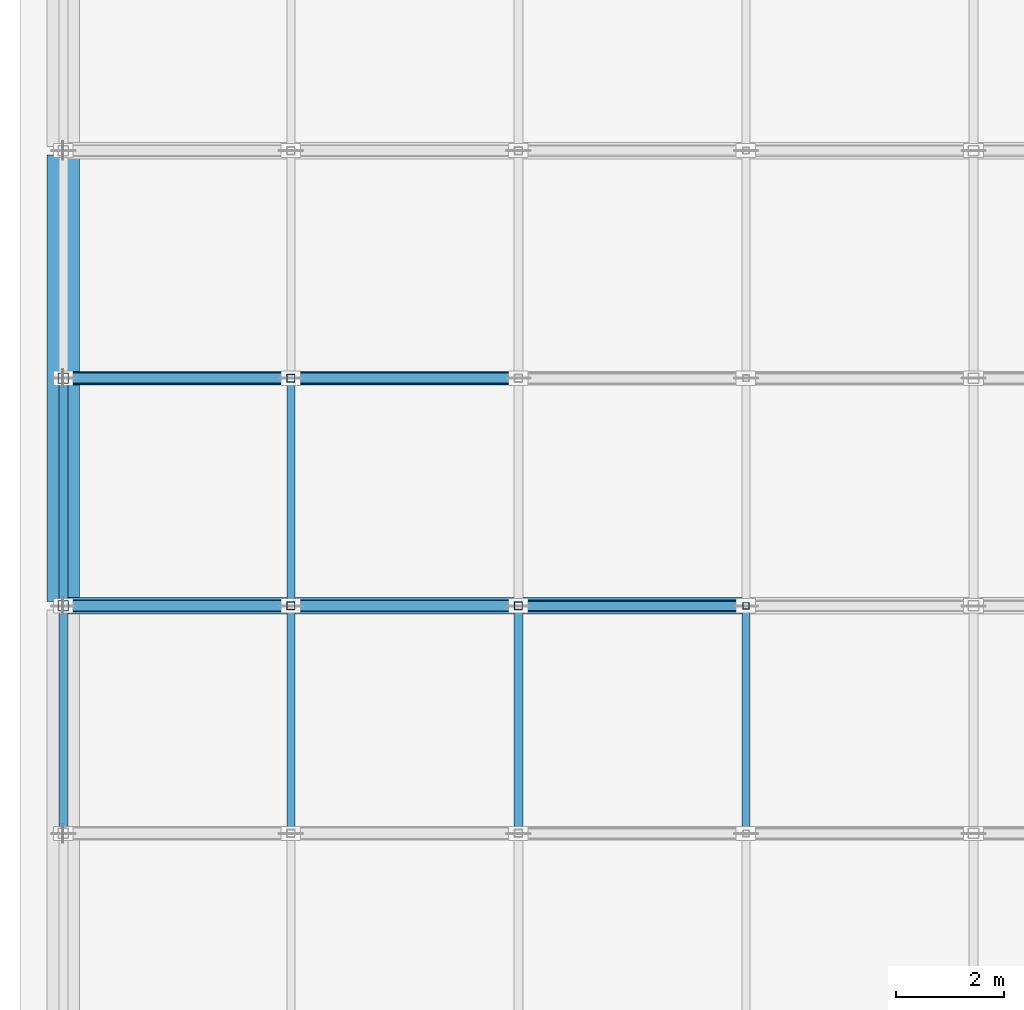
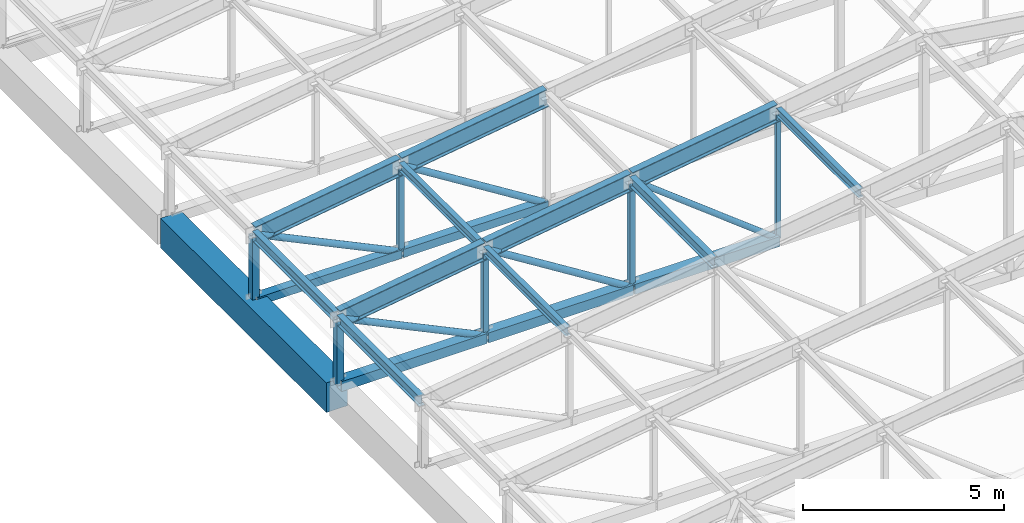
# One storey, part 30 of 122: 27 members, 1 beam.
"""IFC4 building model written with IfcOpenShell, lengths in metres."""

from ifc_helpers import new_model, si_unit, direction, frame, origin, origin_2d, place, context, subcontext, project, spatial, rectangle, hollow_rectangle, hollow_circle, i_section, extrude, material, material_profile, profile_set, type_object, element, save


model = new_model("IFC4")

# Units and contexts
model_context = context("Model", 3, precision=1e-05, world=origin(), true_north=direction((0.0, 1.0)))
body_context = subcontext(model_context, "Body", "Model", "MODEL_VIEW")
ifc_project = project(units=[si_unit("LENGTHUNIT", "METRE"), si_unit("AREAUNIT", "SQUARE_METRE"), si_unit("VOLUMEUNIT", "CUBIC_METRE"), si_unit("PLANEANGLEUNIT", "RADIAN"), si_unit("MASSUNIT", "GRAM", prefix="KILO")], contexts=[model_context])

# Site, building, storey
site_placement = place(None, origin())
site = spatial("IfcSite", under=ifc_project, at=site_placement, CompositionType="ELEMENT")
building_placement = place(site_placement, origin())
building = spatial("IfcBuilding", under=site, at=building_placement, Name="Telukmera Botanical Conservatory", CompositionType="ELEMENT")
storey_placement = place(building_placement, frame((0.0, 0.0, 10.199951171875)))
storey = spatial("IfcBuildingStorey", under=building, at=storey_placement, Name="L02", CompositionType="ELEMENT", Elevation=10.199951171875)

# Beam
ifc_material_1 = material(Name="Concrete C40/50", Category="concrete")
ifc_material_profile_1 = material_profile(ifc_material_1, rectangle(XDim=0.60009765625, YDim=0.89990234375, at=origin_2d()), Name="RC 600x900")
ifc_profile_set_1 = profile_set([ifc_material_profile_1], Name="Concrete C40/50")
beam_type = type_object("IfcBeamType", Name="Beam_B3", PredefinedType="BEAM", material=ifc_profile_set_1)
beam_placement = place(storey_placement, frame((8.39990234375, 100.080078125, -0.449951171875), z_axis=(0.0, 1.0, 0.0), x_axis=(-1.0, 0.0, 0.0)))
element("IfcBeam", 1, at=beam_placement, inside=storey, type_object=beam_type, Name="Auditorium Frame Beam beam:V2:L02:eave:84:1000", PredefinedType="BEAM", context=body_context, shape_type="SweptSolid", body=[
    extrude(rectangle(XDim=0.60009765625, YDim=0.89990234375, at=origin_2d()), origin(), (0.0, 0.0, 1.0), 8.239990234375),
])

# Members
ifc_material_2 = material(Name="Steel S355", Category="steel")
ifc_material_profile_2 = material_profile(ifc_material_2, i_section(OverallWidth=0.210693359375, OverallDepth=0.53955078125, WebThickness=0.01171875, FlangeThickness=0.018798828125, FilletRadius=0.0126953125, at=origin_2d()), Name="UB 533x210x109")
ifc_profile_set_2 = profile_set([ifc_material_profile_2], Name="Steel S355")
member_type_1 = type_object("IfcMemberType", Name="Mem_TC1", PredefinedType="CHORD", material=ifc_profile_set_2)
member_1_placement = place(storey_placement, frame((8.419921875, 100.0, 1.923095703125), z_axis=(0.989021335912, 0.0, 0.147772788805), x_axis=(0.0, 1.0, 0.0)))
element("IfcMember", 2, at=member_1_placement, inside=storey, type_object=member_type_1, Name="Auditorium Pratt Truss Top Chord T5-1", PredefinedType="CHORD", context=body_context, shape_type="SweptSolid", body=[
    extrude(i_section(OverallWidth=0.210693359375, OverallDepth=0.53955078125, WebThickness=0.01171875, FlangeThickness=0.018798828125, FilletRadius=0.0126953125, at=origin_2d()), origin(), (0.0, 0.0, 1.0), 4.206298828125),
])
for number, where, z_axis, x_axis, name in (
    (3, (12.619873046875, 100.0, 2.55078125), (0.989022603236, 0.0, 0.147764306545), (0.0, 1.0, 0.0), "Auditorium Pratt Truss Top Chord T5-2"),
    (4, (16.81982421875, 100.0, 3.178466796875), (0.989022603236, 0.0, 0.147764306545), (0.0, 1.0, 0.0), "Auditorium Pratt Truss Top Chord T5-3"),
):
    element("IfcMember", number, at=place(storey_placement, frame(where, z_axis=z_axis, x_axis=x_axis)), inside=storey, type_object=member_type_1, Name=name, PredefinedType="CHORD", context=body_context, shape_type="SweptSolid", body=[
        extrude(i_section(OverallWidth=0.210693359375, OverallDepth=0.53955078125, WebThickness=0.01171875, FlangeThickness=0.018798828125, FilletRadius=0.0126953125, at=origin_2d()), origin(), (0.0, 0.0, 1.0), 4.20654296875),
    ])
member_2_placement = place(storey_placement, frame((8.419921875, 104.199951171875, 1.923095703125), z_axis=(0.989021335912, 0.0, 0.147772788805), x_axis=(0.0, 1.0, 0.0)))
element("IfcMember", 5, at=member_2_placement, inside=storey, type_object=member_type_1, Name="Auditorium Pratt Truss Top Chord T6-1", PredefinedType="CHORD", context=body_context, shape_type="SweptSolid", body=[
    extrude(i_section(OverallWidth=0.210693359375, OverallDepth=0.53955078125, WebThickness=0.01171875, FlangeThickness=0.018798828125, FilletRadius=0.0126953125, at=origin_2d()), origin(), (0.0, 0.0, 1.0), 4.206298828125),
])
member_3_placement = place(storey_placement, frame((12.619873046875, 104.199951171875, 2.55078125), z_axis=(0.989022603236, 0.0, 0.147764306545), x_axis=(0.0, 1.0, 0.0)))
element("IfcMember", 6, at=member_3_placement, inside=storey, type_object=member_type_1, Name="Auditorium Pratt Truss Top Chord T6-2", PredefinedType="CHORD", context=body_context, shape_type="SweptSolid", body=[
    extrude(i_section(OverallWidth=0.210693359375, OverallDepth=0.53955078125, WebThickness=0.01171875, FlangeThickness=0.018798828125, FilletRadius=0.0126953125, at=origin_2d()), origin(), (0.0, 0.0, 1.0), 4.20654296875),
])
ifc_material_profile_3 = material_profile(ifc_material_2, hollow_rectangle(XDim=0.25, YDim=0.25, WallThickness=0.012451171875, at=origin_2d()), Name="SHS 250x250x12.5")
ifc_profile_set_3 = profile_set([ifc_material_profile_3], Name="Steel S355")
member_type_2 = type_object("IfcMemberType", Name="Mem_TC2", PredefinedType="CHORD", material=ifc_profile_set_3)
member_4_placement = place(storey_placement, frame((8.39990234375, 104.199951171875, -0.079833984375), z_axis=(1.0, 0.0, 0.0), x_axis=(0.0, 1.0, 0.0)))
element("IfcMember", 7, at=member_4_placement, inside=storey, type_object=member_type_2, Name="Auditorium Pratt Truss Bottom Chord T6-1", PredefinedType="CHORD", context=body_context, shape_type="SweptSolid", body=[
    extrude(hollow_rectangle(XDim=0.25, YDim=0.25, WallThickness=0.012451171875, at=origin_2d()), origin(), (0.0, 0.0, 1.0), 4.18017578125),
])
member_5_placement = place(storey_placement, frame((12.6201171875, 104.199951171875, -0.079833984375), z_axis=(1.0, 0.0, 0.0), x_axis=(0.0, 1.0, 0.0)))
element("IfcMember", 8, at=member_5_placement, inside=storey, type_object=member_type_2, Name="Auditorium Pratt Truss Bottom Chord T6-2", PredefinedType="CHORD", context=body_context, shape_type="SweptSolid", body=[
    extrude(hollow_rectangle(XDim=0.25, YDim=0.25, WallThickness=0.012451171875, at=origin_2d()), origin(), (0.0, 0.0, 1.0), 4.159912109375),
])
ifc_material_profile_4 = material_profile(ifc_material_2, hollow_rectangle(XDim=0.300048828125, YDim=0.300048828125, WallThickness=0.012451171875, at=origin_2d()), Name="SHS 300x300x12.5")
ifc_profile_set_4 = profile_set([ifc_material_profile_4], Name="Steel S355")
member_type_3 = type_object("IfcMemberType", Name="Mem_TC3", PredefinedType="CHORD", material=ifc_profile_set_4)
member_6_placement = place(storey_placement, frame((8.39990234375, 100.0, -0.079833984375), z_axis=(1.0, 0.0, 0.0), x_axis=(0.0, 1.0, 0.0)))
element("IfcMember", 9, at=member_6_placement, inside=storey, type_object=member_type_3, Name="Auditorium Pratt Truss Bottom Chord T5-1", PredefinedType="CHORD", context=body_context, shape_type="SweptSolid", body=[
    extrude(hollow_rectangle(XDim=0.300048828125, YDim=0.300048828125, WallThickness=0.012451171875, at=origin_2d()), origin(), (0.0, 0.0, 1.0), 4.18017578125),
])
for number, where, z_axis, x_axis, name in (
    (10, (12.6201171875, 100.0, -0.079833984375), (1.0, 0.0, 0.0), (0.0, 1.0, 0.0), "Auditorium Pratt Truss Bottom Chord T5-2"),
    (11, (16.820068359375, 100.0, -0.079833984375), (1.0, 0.0, 0.0), (0.0, 1.0, 0.0), "Auditorium Pratt Truss Bottom Chord T5-3"),
):
    element("IfcMember", number, at=place(storey_placement, frame(where, z_axis=z_axis, x_axis=x_axis)), inside=storey, type_object=member_type_3, Name=name, PredefinedType="CHORD", context=body_context, shape_type="SweptSolid", body=[
        extrude(hollow_rectangle(XDim=0.300048828125, YDim=0.300048828125, WallThickness=0.012451171875, at=origin_2d()), origin(), (0.0, 0.0, 1.0), 4.159912109375),
    ])
ifc_material_profile_5 = material_profile(ifc_material_2, hollow_circle(Radius=0.096923828125, WallThickness=0.008056640625, at=origin_2d()), Name="CHS 193.7x8.0")
ifc_profile_set_5 = profile_set([ifc_material_profile_5], Name="Steel S355")
member_type_4 = type_object("IfcMemberType", Name="Mem_TD1", PredefinedType="BRACE", material=ifc_profile_set_5)
member_7_placement = place(storey_placement, frame((8.427001953125, 100.0, 1.9072265625), z_axis=(0.902853639645, 0.0, -0.42994802637), x_axis=(0.0, 1.0, 0.0)))
element("IfcMember", 12, at=member_7_placement, inside=storey, type_object=member_type_4, Name="Auditorium Pratt Truss Web Diagonal T5-D1", PredefinedType="BRACE", context=body_context, shape_type="SweptSolid", body=[
    extrude(hollow_circle(Radius=0.096923828125, WallThickness=0.008056640625, at=origin_2d()), origin(), (0.0, 0.0, 1.0), 4.592041015625),
])
member_8_placement = place(storey_placement, frame((12.62548828125, 100.0, 2.53173828125), z_axis=(0.84777122797, 0.0, -0.530362088601), x_axis=(0.0, 1.0, 0.0)))
element("IfcMember", 13, at=member_8_placement, inside=storey, type_object=member_type_4, Name="Auditorium Pratt Truss Web Diagonal T5-D2", PredefinedType="BRACE", context=body_context, shape_type="SweptSolid", body=[
    extrude(hollow_circle(Radius=0.096923828125, WallThickness=0.008056640625, at=origin_2d()), origin(), (0.0, 0.0, 1.0), 4.894287109375),
])
member_9_placement = place(storey_placement, frame((8.427001953125, 104.199951171875, 1.9072265625), z_axis=(0.902853639645, 0.0, -0.42994802637), x_axis=(0.0, 1.0, 0.0)))
element("IfcMember", 14, at=member_9_placement, inside=storey, type_object=member_type_4, Name="Auditorium Pratt Truss Web Diagonal T6-D1", PredefinedType="BRACE", context=body_context, shape_type="SweptSolid", body=[
    extrude(hollow_circle(Radius=0.096923828125, WallThickness=0.008056640625, at=origin_2d()), origin(), (0.0, 0.0, 1.0), 4.592041015625),
])
member_10_placement = place(storey_placement, frame((12.62548828125, 104.199951171875, 2.53173828125), z_axis=(0.84777122797, 0.0, -0.530362088601), x_axis=(0.0, 1.0, 0.0)))
element("IfcMember", 15, at=member_10_placement, inside=storey, type_object=member_type_4, Name="Auditorium Pratt Truss Web Diagonal T6-D2", PredefinedType="BRACE", context=body_context, shape_type="SweptSolid", body=[
    extrude(hollow_circle(Radius=0.096923828125, WallThickness=0.008056640625, at=origin_2d()), origin(), (0.0, 0.0, 1.0), 4.894287109375),
])
ifc_material_profile_6 = material_profile(ifc_material_2, hollow_circle(Radius=0.084228515625, WallThickness=0.008056640625, at=origin_2d()), Name="CHS 168.3x8.0")
ifc_profile_set_6 = profile_set([ifc_material_profile_6], Name="Steel S355")
member_type_5 = type_object("IfcMemberType", Name="Mem_TD2", PredefinedType="BRACE", material=ifc_profile_set_6)
member_11_placement = place(storey_placement, frame((16.82373046875, 100.0, 3.156982421875), z_axis=(0.790391989469, 0.0, -0.61260142261), x_axis=(0.0, 1.0, 0.0)))
element("IfcMember", 16, at=member_11_placement, inside=storey, type_object=member_type_5, Name="Auditorium Pratt Truss Web Diagonal T5-D3", PredefinedType="BRACE", context=body_context, shape_type="SweptSolid", body=[
    extrude(hollow_circle(Radius=0.084228515625, WallThickness=0.008056640625, at=origin_2d()), origin(), (0.0, 0.0, 1.0), 5.25390625),
])
ifc_material_profile_7 = material_profile(ifc_material_2, i_section(OverallWidth=0.165771484375, OverallDepth=0.306640625, WebThickness=0.006591796875, FlangeThickness=0.01171875, FilletRadius=0.0087890625, at=origin_2d()), Name="UB 305x165x46")
ifc_profile_set_7 = profile_set([ifc_material_profile_7], Name="Steel S355")
member_type_6 = type_object("IfcMemberType", Name="Mem_TPB1", PredefinedType="PURLIN", material=ifc_profile_set_7)
for number, where, z_axis, x_axis, name in (
    (17, (8.39990234375, 95.860107421875, 1.920166015625), (0.0, 1.0, 0.0), (-1.0, 0.0, 0.0), "Auditorium Roof Steel Purlin P4-0"),
    (18, (16.800048828125, 95.860107421875, 3.175537109375), (0.0, 1.0, 0.0), (-1.0, 0.0, 0.0), "Auditorium Roof Steel Purlin P4-2"),
    (19, (8.39990234375, 100.06005859375, 1.920166015625), (0.0, 1.0, 0.0), (-1.0, 0.0, 0.0), "Auditorium Roof Steel Purlin P5-0"),
):
    element("IfcMember", number, at=place(storey_placement, frame(where, z_axis=z_axis, x_axis=x_axis)), inside=storey, type_object=member_type_6, Name=name, PredefinedType="PURLIN", context=body_context, shape_type="SweptSolid", body=[
        extrude(i_section(OverallWidth=0.165771484375, OverallDepth=0.306640625, WebThickness=0.006591796875, FlangeThickness=0.01171875, FilletRadius=0.0087890625, at=origin_2d()), origin(), (0.0, 0.0, 1.0), 4.079833984375),
    ])
ifc_material_profile_8 = material_profile(ifc_material_2, i_section(OverallWidth=0.146484375, OverallDepth=0.256103515625, WebThickness=0.00634765625, FlangeThickness=0.010986328125, FilletRadius=0.007568359375, at=origin_2d()), Name="UB 254x146x37")
ifc_profile_set_8 = profile_set([ifc_material_profile_8], Name="Steel S355")
member_type_7 = type_object("IfcMemberType", Name="Mem_TPB2", PredefinedType="PURLIN", material=ifc_profile_set_8)
for number, where, z_axis, x_axis, name in (
    (20, (12.60009765625, 95.860107421875, 2.5478515625), (0.0, 1.0, 0.0), (-1.0, 0.0, 0.0), "Auditorium Roof Steel Purlin P4-1"),
    (21, (21.0, 95.860107421875, 3.80322265625), (0.0, 1.0, 0.0), (-1.0, 0.0, 0.0), "Auditorium Roof Steel Purlin P4-3"),
    (22, (12.60009765625, 100.06005859375, 2.5478515625), (0.0, 1.0, 0.0), (-1.0, 0.0, 0.0), "Auditorium Roof Steel Purlin P5-1"),
):
    element("IfcMember", number, at=place(storey_placement, frame(where, z_axis=z_axis, x_axis=x_axis)), inside=storey, type_object=member_type_7, Name=name, PredefinedType="PURLIN", context=body_context, shape_type="SweptSolid", body=[
        extrude(i_section(OverallWidth=0.146484375, OverallDepth=0.256103515625, WebThickness=0.00634765625, FlangeThickness=0.010986328125, FilletRadius=0.007568359375, at=origin_2d()), origin(), (0.0, 0.0, 1.0), 4.079833984375),
    ])
ifc_material_profile_9 = material_profile(ifc_material_2, hollow_rectangle(XDim=0.199951171875, YDim=0.199951171875, WallThickness=0.010009765625, at=origin_2d()), Name="SHS 200x200x10.0")
ifc_profile_set_9 = profile_set([ifc_material_profile_9], Name="Steel S355")
member_type_8 = type_object("IfcMemberType", Name="Mem_TV1", PredefinedType="POST", material=ifc_profile_set_9)
for number, where, z_axis, x_axis, name in (
    (23, (8.39990234375, 100.0, -0.06005859375), (0.0, 0.0, 1.0), (1.0, 0.0, 0.0), "Auditorium Pratt Truss Vertical T5-V0"),
    (24, (8.39990234375, 104.199951171875, -0.06005859375), (0.0, 0.0, 1.0), (1.0, 0.0, 0.0), "Auditorium Pratt Truss Vertical T6-V0"),
):
    element("IfcMember", number, at=place(storey_placement, frame(where, z_axis=z_axis, x_axis=x_axis)), inside=storey, type_object=member_type_8, Name=name, PredefinedType="POST", context=body_context, shape_type="SweptSolid", body=[
        extrude(hollow_rectangle(XDim=0.199951171875, YDim=0.199951171875, WallThickness=0.010009765625, at=origin_2d()), origin(), (0.0, 0.0, 1.0), 1.960205078125),
    ])
ifc_material_profile_10 = material_profile(ifc_material_2, hollow_rectangle(XDim=0.14990234375, YDim=0.14990234375, WallThickness=0.008056640625, at=origin_2d()), Name="SHS 150x150x8.0")
ifc_profile_set_10 = profile_set([ifc_material_profile_10], Name="Steel S355")
member_type_9 = type_object("IfcMemberType", Name="Mem_TV2", PredefinedType="POST", material=ifc_profile_set_10)
member_12_placement = place(storey_placement, frame((12.60009765625, 100.0, -0.06005859375), z_axis=(0.0, 0.0, 1.0), x_axis=(1.0, 0.0, 0.0)))
element("IfcMember", 25, at=member_12_placement, inside=storey, type_object=member_type_9, Name="Auditorium Pratt Truss Vertical T5-V1", PredefinedType="POST", context=body_context, shape_type="SweptSolid", body=[
    extrude(hollow_rectangle(XDim=0.14990234375, YDim=0.14990234375, WallThickness=0.008056640625, at=origin_2d()), origin(), (0.0, 0.0, 1.0), 2.587890625),
])
member_13_placement = place(storey_placement, frame((16.800048828125, 100.0, -0.06005859375), z_axis=(0.0, 0.0, 1.0), x_axis=(1.0, 0.0, 0.0)))
element("IfcMember", 26, at=member_13_placement, inside=storey, type_object=member_type_9, Name="Auditorium Pratt Truss Vertical T5-V2", PredefinedType="POST", context=body_context, shape_type="SweptSolid", body=[
    extrude(hollow_rectangle(XDim=0.14990234375, YDim=0.14990234375, WallThickness=0.008056640625, at=origin_2d()), origin(), (0.0, 0.0, 1.0), 3.215576171875),
])
member_14_placement = place(storey_placement, frame((12.60009765625, 104.199951171875, -0.06005859375), z_axis=(0.0, 0.0, 1.0), x_axis=(1.0, 0.0, 0.0)))
element("IfcMember", 27, at=member_14_placement, inside=storey, type_object=member_type_9, Name="Auditorium Pratt Truss Vertical T6-V1", PredefinedType="POST", context=body_context, shape_type="SweptSolid", body=[
    extrude(hollow_rectangle(XDim=0.14990234375, YDim=0.14990234375, WallThickness=0.008056640625, at=origin_2d()), origin(), (0.0, 0.0, 1.0), 2.587890625),
])
ifc_material_profile_11 = material_profile(ifc_material_2, hollow_rectangle(XDim=0.1201171875, YDim=0.1201171875, WallThickness=0.00634765625, at=origin_2d()), Name="SHS 120x120x6.3")
ifc_profile_set_11 = profile_set([ifc_material_profile_11], Name="Steel S355")
member_type_10 = type_object("IfcMemberType", Name="Mem_TV3", PredefinedType="POST", material=ifc_profile_set_11)
member_15_placement = place(storey_placement, frame((21.0, 100.0, -0.06005859375), z_axis=(0.0, 0.0, 1.0), x_axis=(1.0, 0.0, 0.0)))
element("IfcMember", 28, at=member_15_placement, inside=storey, type_object=member_type_10, Name="Auditorium Pratt Truss Vertical T5-V3", PredefinedType="POST", context=body_context, shape_type="SweptSolid", body=[
    extrude(hollow_rectangle(XDim=0.1201171875, YDim=0.1201171875, WallThickness=0.00634765625, at=origin_2d()), origin(), (0.0, 0.0, 1.0), 3.84326171875),
])

save(model, "model.ifc")
